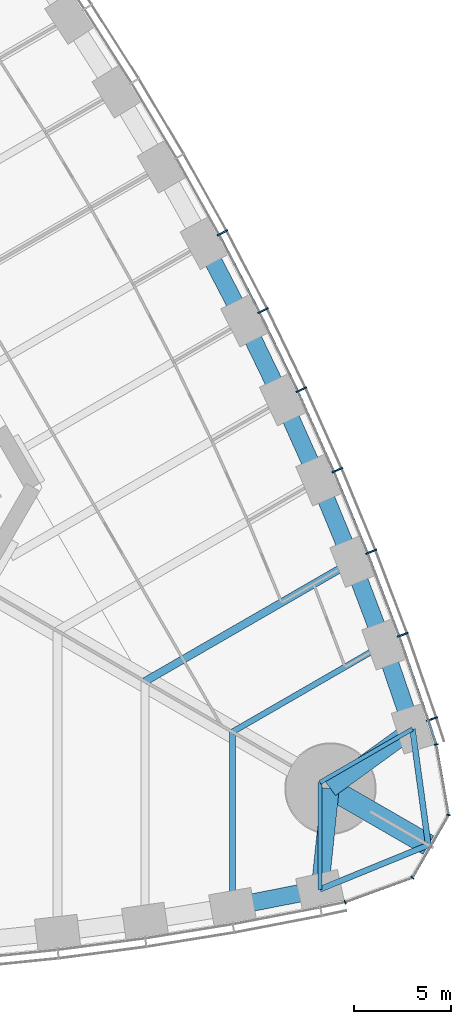
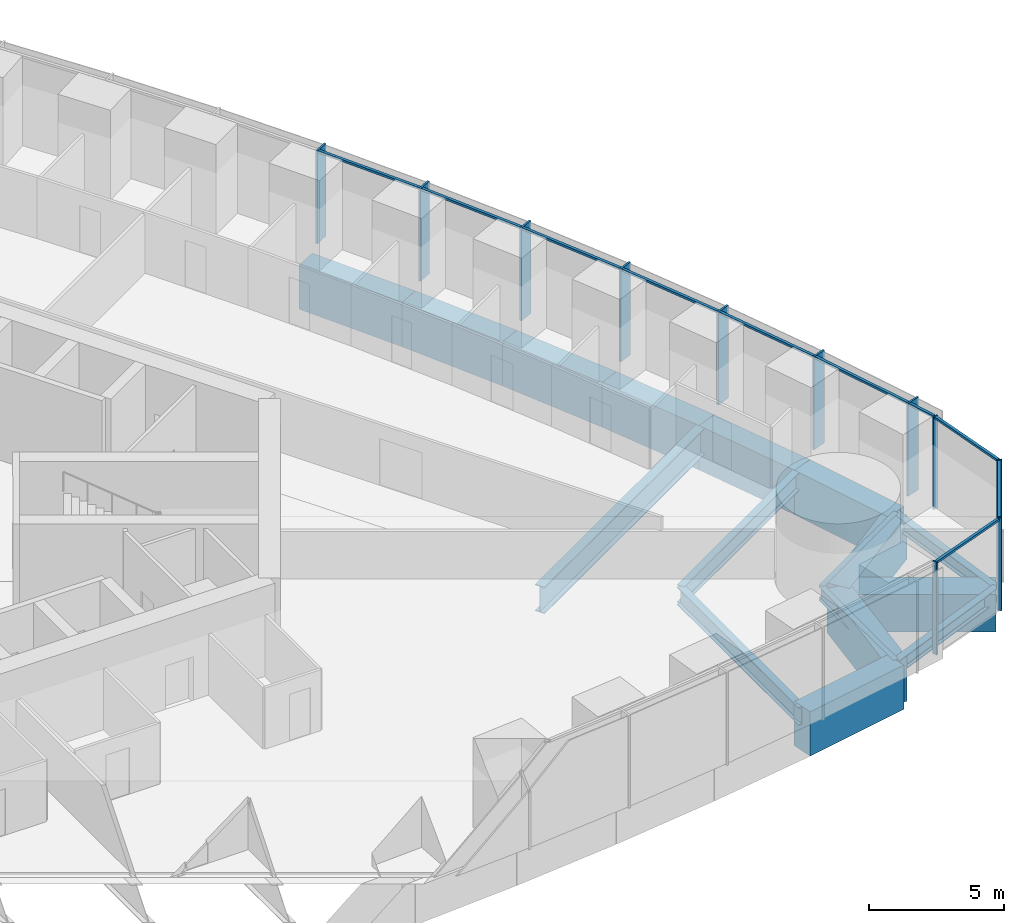
# One storey, part 6 of 18: 21 members, 17 beams, 2 elements without a shape of their own.
"""IFC4 building model written with IfcOpenShell, lengths in metres."""

from ifc_helpers import new_model, si_unit, direction, frame, origin, origin_2d, place, context, subcontext, project, spatial, rectangle, i_section, extrude, material, material_profile, profile_set, type_object, element, aggregate, save


model = new_model("IFC4")

# Units and contexts
model_context = context("Model", 3, precision=1e-05, world=origin(), true_north=direction((0.0, 1.0)))
body_context = subcontext(model_context, "Body", "Model", "MODEL_VIEW")
ifc_project = project(units=[si_unit("LENGTHUNIT", "METRE"), si_unit("AREAUNIT", "SQUARE_METRE"), si_unit("VOLUMEUNIT", "CUBIC_METRE"), si_unit("PLANEANGLEUNIT", "RADIAN"), si_unit("MASSUNIT", "GRAM", prefix="KILO")], contexts=[model_context])

# Site, building, storey
site_placement = place(None, origin())
site = spatial("IfcSite", under=ifc_project, at=site_placement, CompositionType="ELEMENT")
building_placement = place(site_placement, origin())
building = spatial("IfcBuilding", under=site, at=building_placement, Name="Trefoil Bronze Tower", CompositionType="ELEMENT")
storey_placement = place(building_placement, frame((0.0, 0.0, 75.300048828125)))
storey = spatial("IfcBuildingStorey", under=building, at=storey_placement, Name="L17", CompositionType="ELEMENT", Elevation=75.300048828125)

# Curtain wall, members
ifc_material_1 = material(Name="Tinted solar-control glass", Category="glass")
curtain_wall_type_1 = type_object("IfcCurtainWallType", Name="Bronze office curtain wall", PredefinedType="USERDEFINED", material=ifc_material_1)
curtain_wall_1_placement = place(storey_placement, origin())
curtain_wall_1 = element("IfcCurtainWall", 1, at=curtain_wall_1_placement, inside=storey, type_object=curtain_wall_type_1, Name="CW-A L17 F2", ObjectType="CURTAIN WALL", PredefinedType="USERDEFINED")
ifc_material_2 = material(Name="Bronze-finish aluminium", Category="aluminium")
ifc_material_profile_1 = material_profile(ifc_material_2, rectangle(XDim=0.60009765625, YDim=0.080078125, at=origin_2d()), Name="CW-A mullion")
ifc_profile_set_1 = profile_set([ifc_material_profile_1], Name="Bronze-finish aluminium")
member_type_1 = type_object("IfcMemberType", Name="Bronze office curtain wall mullion", PredefinedType="MULLION", material=ifc_profile_set_1)
member_1_placement = place(storey_placement, frame((37.265869140625, -14.92626953125, 0.0), z_axis=(0.0, 0.0, 1.0), x_axis=(-0.947850592929, -0.318715003543, 0.0)))
member_1 = element("IfcMember", 2, at=member_1_placement, type_object=member_type_1, Name="CW-A L17 F2 mullion 2", PredefinedType="MULLION", context=body_context, shape_type="SweptSolid", body=[
    extrude(rectangle(XDim=0.60009765625, YDim=0.080078125, at=origin_2d()), origin(), (0.0, 0.0, 1.0), 4.179931640625),
])
member_2_placement = place(storey_placement, frame((35.761962890625, -10.590087890625, 0.0), z_axis=(0.0, 0.0, 1.0), x_axis=(-0.939860248316, -0.341559238839, 0.0)))
member_2 = element("IfcMember", 3, at=member_2_placement, type_object=member_type_1, Name="CW-A L17 F2 mullion 3", PredefinedType="MULLION", context=body_context, shape_type="SweptSolid", body=[
    extrude(rectangle(XDim=0.60009765625, YDim=0.080078125, at=origin_2d()), origin(), (0.0, 0.0, 1.0), 4.179931640625),
])
member_3_placement = place(storey_placement, frame((34.138916015625, -6.32080078125, 0.0), z_axis=(0.0, 0.0, 1.0), x_axis=(-0.929413605838, -0.369039766534, 0.0)))
member_3 = element("IfcMember", 4, at=member_3_placement, type_object=member_type_1, Name="CW-A L17 F2 mullion 4", PredefinedType="MULLION", context=body_context, shape_type="SweptSolid", body=[
    extrude(rectangle(XDim=0.60009765625, YDim=0.080078125, at=origin_2d()), origin(), (0.0, 0.0, 1.0), 4.179931640625),
])
member_4_placement = place(storey_placement, frame((32.39892578125, -2.119384765625, 0.0), z_axis=(0.0, 0.0, 1.0), x_axis=(-0.918213748442, -0.396085233469, 0.0)))
member_4 = element("IfcMember", 5, at=member_4_placement, type_object=member_type_1, Name="CW-A L17 F2 mullion 5", PredefinedType="MULLION", context=body_context, shape_type="SweptSolid", body=[
    extrude(rectangle(XDim=0.60009765625, YDim=0.080078125, at=origin_2d()), origin(), (0.0, 0.0, 1.0), 4.179931640625),
])
member_5_placement = place(storey_placement, frame((30.543212890625, 2.015380859375, 0.0), z_axis=(0.0, 0.0, 1.0), x_axis=(-0.906269346572, -0.422700687798, 0.0)))
member_5 = element("IfcMember", 6, at=member_5_placement, type_object=member_type_1, Name="CW-A L17 F2 mullion 6", PredefinedType="MULLION", context=body_context, shape_type="SweptSolid", body=[
    extrude(rectangle(XDim=0.60009765625, YDim=0.080078125, at=origin_2d()), origin(), (0.0, 0.0, 1.0), 4.179931640625),
])
member_6_placement = place(storey_placement, frame((28.57275390625, 6.084228515625, 0.0), z_axis=(0.0, 0.0, 1.0), x_axis=(-0.893587025891, -0.448889994497, 0.0)))
member_6 = element("IfcMember", 7, at=member_6_placement, type_object=member_type_1, Name="CW-A L17 F2 mullion 7", PredefinedType="MULLION", context=body_context, shape_type="SweptSolid", body=[
    extrude(rectangle(XDim=0.60009765625, YDim=0.080078125, at=origin_2d()), origin(), (0.0, 0.0, 1.0), 4.179931640625),
])
member_7_placement = place(storey_placement, frame((26.488525390625, 10.0869140625, 0.0), z_axis=(0.0, 0.0, 1.0), x_axis=(-0.880171454588, -0.474655886437, 0.0)))
member_7 = element("IfcMember", 8, at=member_7_placement, type_object=member_type_1, Name="CW-A L17 F2 mullion 8", PredefinedType="MULLION", context=body_context, shape_type="SweptSolid", body=[
    extrude(rectangle(XDim=0.60009765625, YDim=0.080078125, at=origin_2d()), origin(), (0.0, 0.0, 1.0), 4.179931640625),
])
ifc_material_3 = material(Name="Bronze-finish aluminium", Category="aluminium")
ifc_material_profile_2 = material_profile(ifc_material_3, rectangle(XDim=0.1201171875, YDim=0.10009765625, at=origin_2d()), Name="CW-A transom")
ifc_profile_set_2 = profile_set([ifc_material_profile_2], Name="Bronze-finish aluminium")
member_type_2 = type_object("IfcMemberType", Name="Bronze office curtain wall transom", PredefinedType="USERDEFINED", material=ifc_profile_set_2)
member_8_placement = place(storey_placement, frame((37.4638671875, -16.1796875, 4.1298828125), z_axis=(-0.309624219148, 0.950859002648, 0.0), x_axis=(-0.950859002648, -0.309624219148, 0.0)))
member_8 = element("IfcMember", 9, at=member_8_placement, type_object=member_type_2, Name="CW-A L17 F2 transom 1", ObjectType="TRANSOM", PredefinedType="USERDEFINED", context=body_context, shape_type="SweptSolid", body=[
    extrude(rectangle(XDim=0.1201171875, YDim=0.10009765625, at=origin_2d()), origin(), (0.0, 0.0, 1.0), 1.21044921875),
])
member_9_placement = place(storey_placement, frame((37.06298828125, -14.951171875, 4.1298828125), z_axis=(-0.327689728493, 0.944785394595, 0.0), x_axis=(-0.944785394595, -0.327689728493, 0.0)))
member_9 = element("IfcMember", 10, at=member_9_placement, type_object=member_type_2, Name="CW-A L17 F2 transom 2", ObjectType="TRANSOM", PredefinedType="USERDEFINED", context=body_context, shape_type="SweptSolid", body=[
    extrude(rectangle(XDim=0.1201171875, YDim=0.10009765625, at=origin_2d()), origin(), (0.0, 0.0, 1.0), 4.502197265625),
])
member_10_placement = place(storey_placement, frame((35.559326171875, -10.61962890625, 4.1298828125), z_axis=(-0.355367327392, 0.934726731522, 0.0), x_axis=(-0.934726731522, -0.355367327392, 0.0)))
member_10 = element("IfcMember", 11, at=member_10_placement, type_object=member_type_2, Name="CW-A L17 F2 transom 3", ObjectType="TRANSOM", PredefinedType="USERDEFINED", context=body_context, shape_type="SweptSolid", body=[
    extrude(rectangle(XDim=0.1201171875, YDim=0.10009765625, at=origin_2d()), origin(), (0.0, 0.0, 1.0), 4.478515625),
])
member_11_placement = place(storey_placement, frame((33.937255859375, -6.3564453125, 4.1298828125), z_axis=(-0.382616149417, 0.923907399151, 0.0), x_axis=(-0.923907399151, -0.382616149417, 0.0)))
member_11 = element("IfcMember", 12, at=member_11_placement, type_object=member_type_2, Name="CW-A L17 F2 transom 4", ObjectType="TRANSOM", PredefinedType="USERDEFINED", context=body_context, shape_type="SweptSolid", body=[
    extrude(rectangle(XDim=0.1201171875, YDim=0.10009765625, at=origin_2d()), origin(), (0.0, 0.0, 1.0), 4.458984375),
])
member_12_placement = place(storey_placement, frame((32.1982421875, -2.16064453125, 4.1298828125), z_axis=(-0.409459746452, 0.912328184392, 0.0), x_axis=(-0.912328184392, -0.409459746452, 0.0)))
member_12 = element("IfcMember", 13, at=member_12_placement, type_object=member_type_2, Name="CW-A L17 F2 transom 5", ObjectType="TRANSOM", PredefinedType="USERDEFINED", context=body_context, shape_type="SweptSolid", body=[
    extrude(rectangle(XDim=0.1201171875, YDim=0.10009765625, at=origin_2d()), origin(), (0.0, 0.0, 1.0), 4.443359375),
])
member_13_placement = place(storey_placement, frame((30.34375, 1.96826171875, 4.1298828125), z_axis=(-0.435851763293, 0.900018466719, 0.0), x_axis=(-0.900018466719, -0.435851763293, 0.0)))
member_13 = element("IfcMember", 14, at=member_13_placement, type_object=member_type_2, Name="CW-A L17 F2 transom 6", ObjectType="TRANSOM", PredefinedType="USERDEFINED", context=body_context, shape_type="SweptSolid", body=[
    extrude(rectangle(XDim=0.1201171875, YDim=0.10009765625, at=origin_2d()), origin(), (0.0, 0.0, 1.0), 4.431884765625),
])
member_14_placement = place(storey_placement, frame((28.375, 6.031005859375, 4.1298828125), z_axis=(-0.461809621225, 0.886979071762, 0.0), x_axis=(-0.886979071762, -0.461809621225, 0.0)))
member_14 = element("IfcMember", 15, at=member_14_placement, type_object=member_type_2, Name="CW-A L17 F2 transom 7", ObjectType="TRANSOM", PredefinedType="USERDEFINED", context=body_context, shape_type="SweptSolid", body=[
    extrude(rectangle(XDim=0.1201171875, YDim=0.10009765625, at=origin_2d()), origin(), (0.0, 0.0, 1.0), 4.42431640625),
])
aggregate(curtain_wall_1, [member_1, member_2, member_3, member_4, member_5, member_6, member_7, member_8, member_9, member_10, member_11, member_12, member_13, member_14])

ifc_material_4 = material(Name="Tinted solar-control glass", Category="glass")
curtain_wall_type_2 = type_object("IfcCurtainWallType", Name="Bronze rounded corner curtain wall", PredefinedType="USERDEFINED", material=ifc_material_4)
curtain_wall_2_placement = place(storey_placement, origin())
curtain_wall_2 = element("IfcCurtainWall", 16, at=curtain_wall_2_placement, inside=storey, type_object=curtain_wall_type_2, Name="CW-B L17 K1", ObjectType="CURTAIN WALL", PredefinedType="USERDEFINED")
ifc_material_5 = material(Name="Bronze-finish aluminium", Category="aluminium")
ifc_material_profile_3 = material_profile(ifc_material_5, rectangle(XDim=0.199951171875, YDim=0.06005859375, at=origin_2d()), Name="CW-B mullion")
ifc_profile_set_3 = profile_set([ifc_material_profile_3], Name="Bronze-finish aluminium")
member_type_3 = type_object("IfcMemberType", Name="Bronze rounded corner curtain wall mullion", PredefinedType="MULLION", material=ifc_profile_set_3)
member_15_placement = place(storey_placement, frame((32.796630859375, -24.3427734375, 0.0), z_axis=(0.0, 0.0, 1.0), x_axis=(-0.342020143326, 0.939692620786, 0.0)))
member_15 = element("IfcMember", 17, at=member_15_placement, type_object=member_type_3, Name="CW-B L17 K1 mullion 1", PredefinedType="MULLION", context=body_context, shape_type="SweptSolid", body=[
    extrude(rectangle(XDim=0.199951171875, YDim=0.06005859375, at=origin_2d()), origin(), (0.0, 0.0, 1.0), 4.179931640625),
])
member_16_placement = place(storey_placement, frame((36.2548828125, -23.07763671875, 0.0), z_axis=(0.0, 0.0, 1.0), x_axis=(-0.642787609687, 0.766044443119, 0.0)))
member_16 = element("IfcMember", 18, at=member_16_placement, type_object=member_type_3, Name="CW-B L17 K1 mullion 2", PredefinedType="MULLION", context=body_context, shape_type="SweptSolid", body=[
    extrude(rectangle(XDim=0.199951171875, YDim=0.06005859375, at=origin_2d()), origin(), (0.0, 0.0, 1.0), 4.179931640625),
])
member_17_placement = place(storey_placement, frame((38.11328125, -19.85888671875, 0.0), z_axis=(0.0, 0.0, 1.0), x_axis=(-0.984807753012, 0.173648177667, 0.0)))
member_17 = element("IfcMember", 19, at=member_17_placement, type_object=member_type_3, Name="CW-B L17 K1 mullion 3", PredefinedType="MULLION", context=body_context, shape_type="SweptSolid", body=[
    extrude(rectangle(XDim=0.199951171875, YDim=0.06005859375, at=origin_2d()), origin(), (0.0, 0.0, 1.0), 4.179931640625),
])
member_18_placement = place(storey_placement, frame((37.479736328125, -16.2314453125, 0.0), z_axis=(0.0, 0.0, 1.0), x_axis=(-0.984807753012, -0.173648177667, 0.0)))
member_18 = element("IfcMember", 20, at=member_18_placement, type_object=member_type_3, Name="CW-B L17 K1 mullion 4", PredefinedType="MULLION", context=body_context, shape_type="SweptSolid", body=[
    extrude(rectangle(XDim=0.199951171875, YDim=0.06005859375, at=origin_2d()), origin(), (0.0, 0.0, 1.0), 4.179931640625),
])
ifc_material_6 = material(Name="Bronze-finish aluminium", Category="aluminium")
ifc_material_profile_4 = material_profile(ifc_material_6, rectangle(XDim=0.1201171875, YDim=0.10009765625, at=origin_2d()), Name="CW-B transom")
ifc_profile_set_4 = profile_set([ifc_material_profile_4], Name="Bronze-finish aluminium")
member_type_4 = type_object("IfcMemberType", Name="Bronze rounded corner curtain wall transom", PredefinedType="USERDEFINED", material=ifc_profile_set_4)
member_19_placement = place(storey_placement, frame((32.82470703125, -24.33251953125, 4.1298828125), z_axis=(0.939688092095, 0.342032585545, 0.0), x_axis=(-0.342032585545, 0.939688092095, 0.0)))
member_19 = element("IfcMember", 21, at=member_19_placement, type_object=member_type_4, Name="CW-B L17 K1 transom 1", ObjectType="TRANSOM", PredefinedType="USERDEFINED", context=body_context, shape_type="SweptSolid", body=[
    extrude(rectangle(XDim=0.1201171875, YDim=0.10009765625, at=origin_2d()), origin(), (0.0, 0.0, 1.0), 3.588134765625),
])
member_20_placement = place(storey_placement, frame((36.292236328125, -23.02490234375, 4.1298828125), z_axis=(0.500024788772, 0.866011091507, 0.0), x_axis=(-0.866011091507, 0.500024788772, 0.0)))
member_20 = element("IfcMember", 22, at=member_20_placement, type_object=member_type_4, Name="CW-B L17 K1 transom 2", ObjectType="TRANSOM", PredefinedType="USERDEFINED", context=body_context, shape_type="SweptSolid", body=[
    extrude(rectangle(XDim=0.1201171875, YDim=0.10009765625, at=origin_2d()), origin(), (0.0, 0.0, 1.0), 3.588134765625),
])
member_21_placement = place(storey_placement, frame((38.10791015625, -19.794677734375, 4.1298828125), z_axis=(-0.17363783606, 0.984809576461, 0.0), x_axis=(-0.984809576461, -0.17363783606, 0.0)))
member_21 = element("IfcMember", 23, at=member_21_placement, type_object=member_type_4, Name="CW-B L17 K1 transom 3", ObjectType="TRANSOM", PredefinedType="USERDEFINED", context=body_context, shape_type="SweptSolid", body=[
    extrude(rectangle(XDim=0.1201171875, YDim=0.10009765625, at=origin_2d()), origin(), (0.0, 0.0, 1.0), 3.588134765625),
])
aggregate(curtain_wall_2, [member_15, member_16, member_17, member_18, member_19, member_20, member_21])

# Beams
ifc_material_7 = material(Name="Concrete B80", Category="concrete")
ifc_material_profile_5 = material_profile(ifc_material_7, rectangle(XDim=1.10009765625, YDim=1.699951171875, at=origin_2d()), Name="RC 1100x1700")
ifc_profile_set_5 = profile_set([ifc_material_profile_5], Name="Concrete B80")
beam_type_1 = type_object("IfcBeamType", Name="Corner cantilever RC 1100x1700", PredefinedType="BEAM", material=ifc_profile_set_5)
beam_1_placement = place(storey_placement, frame((32.04296875, -18.5, -1.050048828125), z_axis=(0.866030348588, -0.499991435252, 0.0), x_axis=(0.499991435252, 0.866030348588, 0.0)))
element("IfcBeam", 24, at=beam_1_placement, inside=storey, type_object=beam_type_1, Name="Corner cantilever K1 L17", PredefinedType="BEAM", context=body_context, shape_type="SweptSolid", body=[
    extrude(rectangle(XDim=1.10009765625, YDim=1.699951171875, at=origin_2d()), origin(), (0.0, 0.0, 1.0), 5.81396484375),
])
ifc_material_8 = material(Name="Steel C355", Category="steel")
ifc_material_profile_6 = material_profile(ifc_material_8, i_section(OverallWidth=0.300048828125, OverallDepth=0.60009765625, WebThickness=0.015380859375, FlangeThickness=0.030029296875, FilletRadius=0.027099609375, at=origin_2d()), Name="HEB 600")
ifc_profile_set_6 = profile_set([ifc_material_profile_6], Name="Steel C355")
beam_type_2 = type_object("IfcBeamType", Name="Corner edge beam HEB 600", PredefinedType="BEAM", material=ifc_profile_set_6)
beam_2_placement = place(storey_placement, frame((31.5, -23.684814453125, -0.5), z_axis=(0.925786874353, 0.378045848114, 0.0), x_axis=(-0.378045848114, 0.925786874353, 0.0)))
element("IfcBeam", 25, at=beam_2_placement, inside=storey, type_object=beam_type_2, Name="Corner edge beam F1A L17", PredefinedType="BEAM", context=body_context, shape_type="SweptSolid", body=[
    extrude(i_section(OverallWidth=0.300048828125, OverallDepth=0.60009765625, WebThickness=0.015380859375, FlangeThickness=0.030029296875, FilletRadius=0.027099609375, at=origin_2d()), origin(), (0.0, 0.0, 1.0), 6.025390625),
])
beam_3_placement = place(storey_placement, frame((36.26171875, -15.4375, -0.5), z_axis=(0.13550196505, -0.990777077585, 0.0), x_axis=(0.990777077585, 0.13550196505, 0.0)))
element("IfcBeam", 26, at=beam_3_placement, inside=storey, type_object=beam_type_2, Name="Corner edge beam F2B L17", PredefinedType="BEAM", context=body_context, shape_type="SweptSolid", body=[
    extrude(i_section(OverallWidth=0.300048828125, OverallDepth=0.60009765625, WebThickness=0.015380859375, FlangeThickness=0.030029296875, FilletRadius=0.027099609375, at=origin_2d()), origin(), (0.0, 0.0, 1.0), 6.025146484375),
])
ifc_material_9 = material(Name="Concrete B80", Category="concrete")
ifc_material_profile_7 = material_profile(ifc_material_9, rectangle(XDim=0.89990234375, YDim=2.0, at=origin_2d()), Name="RC 900x2000")
ifc_profile_set_7 = profile_set([ifc_material_profile_7], Name="Concrete B80")
beam_type_3 = type_object("IfcBeamType", Name="End spandrel beam RC 900x2000", PredefinedType="SPANDREL", material=ifc_profile_set_7)
for number, where, z_axis, x_axis, name in (
    (27, (31.5, -23.684814453125, -1.199951171875), (0.104153327908, 0.994561252154, 0.0), (-0.994561252154, 0.104153327908, 0.0), "Spandrel F1.16 L17"),
    (28, (32.04296875, -18.5, -1.199951171875), (0.809254211267, 0.587458612624, 0.0), (-0.587458612624, 0.809254211267, 0.0), "Spandrel F2.1 L17"),
):
    element("IfcBeam", number, at=place(storey_placement, frame(where, z_axis=z_axis, x_axis=x_axis)), inside=storey, type_object=beam_type_3, Name=name, PredefinedType="SPANDREL", context=body_context, shape_type="SweptSolid", body=[
        extrude(rectangle(XDim=0.89990234375, YDim=2.0, at=origin_2d()), origin(), (0.0, 0.0, 1.0), 5.213134765625),
    ])
ifc_material_10 = material(Name="Steel C355", Category="steel")
ifc_material_profile_8 = material_profile(ifc_material_10, i_section(OverallWidth=0.300048828125, OverallDepth=0.800048828125, WebThickness=0.017578125, FlangeThickness=0.032958984375, FilletRadius=0.030029296875, at=origin_2d()), Name="HEB 800")
ifc_profile_set_8 = profile_set([ifc_material_profile_8], Name="Steel C355")
beam_type_4 = type_object("IfcBeamType", Name="Floor beam HEB 800", PredefinedType="BEAM", material=ifc_profile_set_8)
for number, where, z_axis, x_axis, name in (
    (29, (27.0, -24.56787109375, -0.60009765625), (0.0, 1.0, 0.0), (-1.0, 0.0, 0.0), "Floor beam F1/+6 L17"),
    (30, (34.7763671875, -11.0986328125, -0.60009765625), (-0.866022587327, -0.500004878216, 0.0), (0.500004878216, -0.866022587327, 0.0), "Floor beam F2/-6 L17"),
):
    element("IfcBeam", number, at=place(storey_placement, frame(where, z_axis=z_axis, x_axis=x_axis)), inside=storey, type_object=beam_type_4, Name=name, PredefinedType="BEAM", context=body_context, shape_type="SweptSolid", body=[
        extrude(i_section(OverallWidth=0.300048828125, OverallDepth=0.800048828125, WebThickness=0.017578125, FlangeThickness=0.032958984375, FilletRadius=0.030029296875, at=origin_2d()), origin(), (0.0, 0.0, 1.0), 8.9794921875),
    ])
ifc_material_11 = material(Name="Steel C355", Category="steel")
ifc_material_profile_9 = material_profile(ifc_material_11, i_section(OverallWidth=0.219970703125, OverallDepth=0.60009765625, WebThickness=0.011962890625, FlangeThickness=0.01904296875, FilletRadius=0.02392578125, at=origin_2d()), Name="IPE 600")
ifc_profile_set_9 = profile_set([ifc_material_profile_9], Name="Steel C355")
beam_type_5 = type_object("IfcBeamType", Name="Floor beam IPE 600", PredefinedType="BEAM", material=ifc_profile_set_9)
for number, where, z_axis, x_axis, name in (
    (31, (31.5, -23.684814453125, -0.5), (0.0, 1.0, 0.0), (-1.0, 0.0, 0.0), "Floor beam F1/+7 L17"),
    (32, (36.26171875, -15.4375, -0.5), (-0.866037702141, -0.499978698016, 0.0), (0.499978698016, -0.866037702141, 0.0), "Floor beam F2/-7 L17"),
):
    element("IfcBeam", number, at=place(storey_placement, frame(where, z_axis=z_axis, x_axis=x_axis)), inside=storey, type_object=beam_type_5, Name=name, PredefinedType="BEAM", context=body_context, shape_type="SweptSolid", body=[
        extrude(i_section(OverallWidth=0.219970703125, OverallDepth=0.60009765625, WebThickness=0.011962890625, FlangeThickness=0.01904296875, FilletRadius=0.02392578125, at=origin_2d()), origin(), (0.0, 0.0, 1.0), 5.498291015625),
    ])
ifc_material_12 = material(Name="Steel C355", Category="steel")
ifc_material_profile_10 = material_profile(ifc_material_12, i_section(OverallWidth=0.39990234375, OverallDepth=1.199951171875, WebThickness=0.02001953125, FlangeThickness=0.0400390625, FilletRadius=0.010009765625, at=origin_2d()), Name="WPG 1200")
ifc_profile_set_10 = profile_set([ifc_material_profile_10], Name="Steel C355")
beam_type_6 = type_object("IfcBeamType", Name="Floor beam WPG 1200", PredefinedType="BEAM", material=ifc_profile_set_10)
beam_4_placement = place(storey_placement, frame((33.159912109375, -6.8359375, -0.800048828125), z_axis=(-0.866024070878, -0.500002308654, 0.0), x_axis=(0.500002308654, -0.866024070878, 0.0)))
element("IfcBeam", 33, at=beam_4_placement, inside=storey, type_object=beam_type_6, Name="Floor beam F2/-5 L17", PredefinedType="BEAM", context=body_context, shape_type="SweptSolid", body=[
    extrude(i_section(OverallWidth=0.39990234375, OverallDepth=1.199951171875, WebThickness=0.02001953125, FlangeThickness=0.0400390625, FilletRadius=0.010009765625, at=origin_2d()), origin(), (0.0, 0.0, 1.0), 12.30908203125),
])
ifc_material_13 = material(Name="Concrete B80", Category="concrete")
ifc_material_profile_11 = material_profile(ifc_material_13, rectangle(XDim=0.89990234375, YDim=2.0, at=origin_2d()), Name="RC 900x2000")
ifc_profile_set_11 = profile_set([ifc_material_profile_11], Name="Concrete B80")
beam_type_7 = type_object("IfcBeamType", Name="Spandrel beam RC 900x2000", PredefinedType="SPANDREL", material=ifc_profile_set_11)
beam_5_placement = place(storey_placement, frame((27.0, -24.56787109375, -1.199951171875), z_axis=(0.981284764092, 0.192562228283, 0.0), x_axis=(-0.192562228283, 0.981284764092, 0.0)))
element("IfcBeam", 34, at=beam_5_placement, inside=storey, type_object=beam_type_7, Name="Spandrel F1.15 L17", PredefinedType="SPANDREL", context=body_context, shape_type="SweptSolid", body=[
    extrude(rectangle(XDim=0.89990234375, YDim=2.0, at=origin_2d()), origin(), (0.0, 0.0, 1.0), 4.5859375),
])
beam_6_placement = place(storey_placement, frame((36.26171875, -15.4375, -1.199951171875), z_axis=(-0.323883319148, 0.946097032855, 0.0), x_axis=(-0.946097032855, -0.323883319148, 0.0)))
element("IfcBeam", 35, at=beam_6_placement, inside=storey, type_object=beam_type_7, Name="Spandrel F2.2 L17", PredefinedType="SPANDREL", context=body_context, shape_type="SweptSolid", body=[
    extrude(rectangle(XDim=0.89990234375, YDim=2.0, at=origin_2d()), origin(), (0.0, 0.0, 1.0), 4.586181640625),
])
beam_7_placement = place(storey_placement, frame((34.7763671875, -11.0986328125, -1.199951171875), z_axis=(-0.354571899767, 0.935028752443, 0.0), x_axis=(-0.935028752443, -0.354571899767, 0.0)))
element("IfcBeam", 36, at=beam_7_placement, inside=storey, type_object=beam_type_7, Name="Spandrel F2.3 L17", PredefinedType="SPANDREL", context=body_context, shape_type="SweptSolid", body=[
    extrude(rectangle(XDim=0.89990234375, YDim=2.0, at=origin_2d()), origin(), (0.0, 0.0, 1.0), 4.558837890625),
])
beam_8_placement = place(storey_placement, frame((33.159912109375, -6.8359375, -1.199951171875), z_axis=(-0.382020825144, 0.924153715113, 0.0), x_axis=(-0.924153715113, -0.382020825144, 0.0)))
element("IfcBeam", 37, at=beam_8_placement, inside=storey, type_object=beam_type_7, Name="Spandrel F2.4 L17", PredefinedType="SPANDREL", context=body_context, shape_type="SweptSolid", body=[
    extrude(rectangle(XDim=0.89990234375, YDim=2.0, at=origin_2d()), origin(), (0.0, 0.0, 1.0), 4.539306640625),
])
beam_9_placement = place(storey_placement, frame((31.42578125, -2.640869140625, -1.199951171875), z_axis=(-0.408945873044, 0.912558640812, 0.0), x_axis=(-0.912558640812, -0.408945873044, 0.0)))
element("IfcBeam", 38, at=beam_9_placement, inside=storey, type_object=beam_type_7, Name="Spandrel F2.5 L17", PredefinedType="SPANDREL", context=body_context, shape_type="SweptSolid", body=[
    extrude(rectangle(XDim=0.89990234375, YDim=2.0, at=origin_2d()), origin(), (0.0, 0.0, 1.0), 4.5234375),
])
beam_10_placement = place(storey_placement, frame((29.575927734375, 1.487060546875, -1.199951171875), z_axis=(-0.435510013583, 0.900183885697, 0.0), x_axis=(-0.900183885697, -0.435510013583, 0.0)))
element("IfcBeam", 39, at=beam_10_placement, inside=storey, type_object=beam_type_7, Name="Spandrel F2.6 L17", PredefinedType="SPANDREL", context=body_context, shape_type="SweptSolid", body=[
    extrude(rectangle(XDim=0.89990234375, YDim=2.0, at=origin_2d()), origin(), (0.0, 0.0, 1.0), 4.51220703125),
])
beam_11_placement = place(storey_placement, frame((27.61083984375, 5.548828125, -1.199951171875), z_axis=(-0.461637716615, 0.887068553495, 0.0), x_axis=(-0.887068553495, -0.461637716615, 0.0)))
element("IfcBeam", 40, at=beam_11_placement, inside=storey, type_object=beam_type_7, Name="Spandrel F2.7 L17", PredefinedType="SPANDREL", context=body_context, shape_type="SweptSolid", body=[
    extrude(rectangle(XDim=0.89990234375, YDim=2.0, at=origin_2d()), origin(), (0.0, 0.0, 1.0), 4.50439453125),
])

save(model, "model.ifc")
